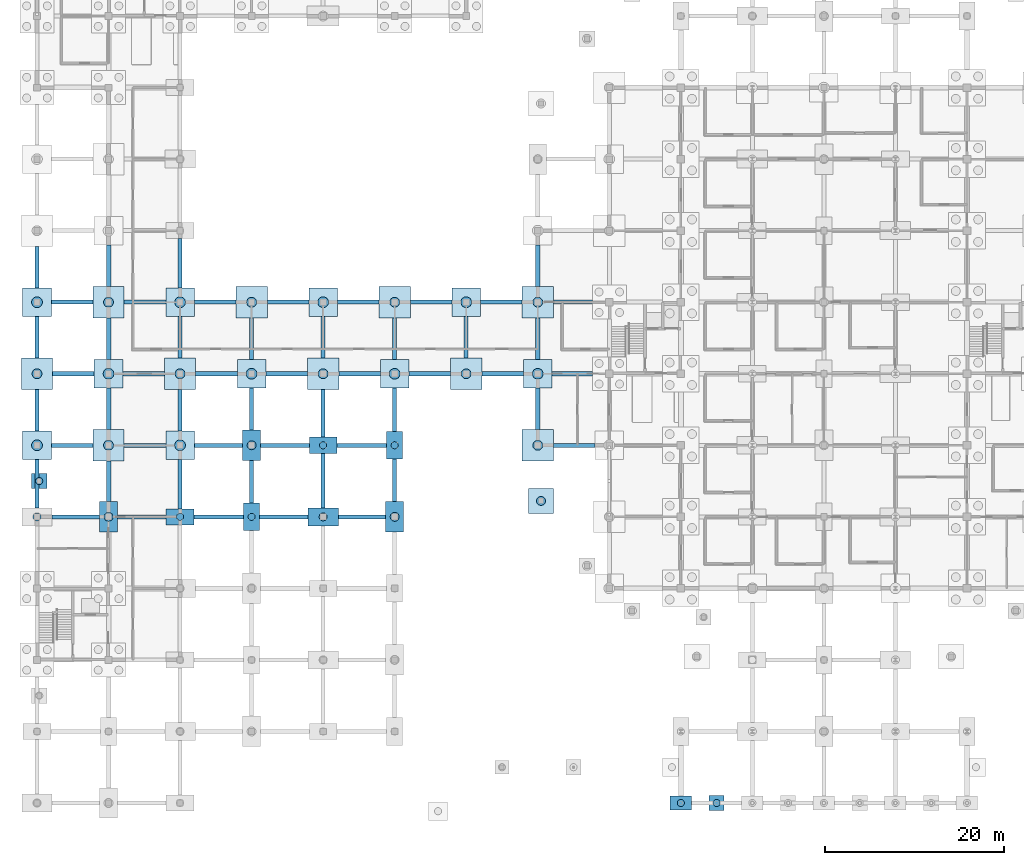
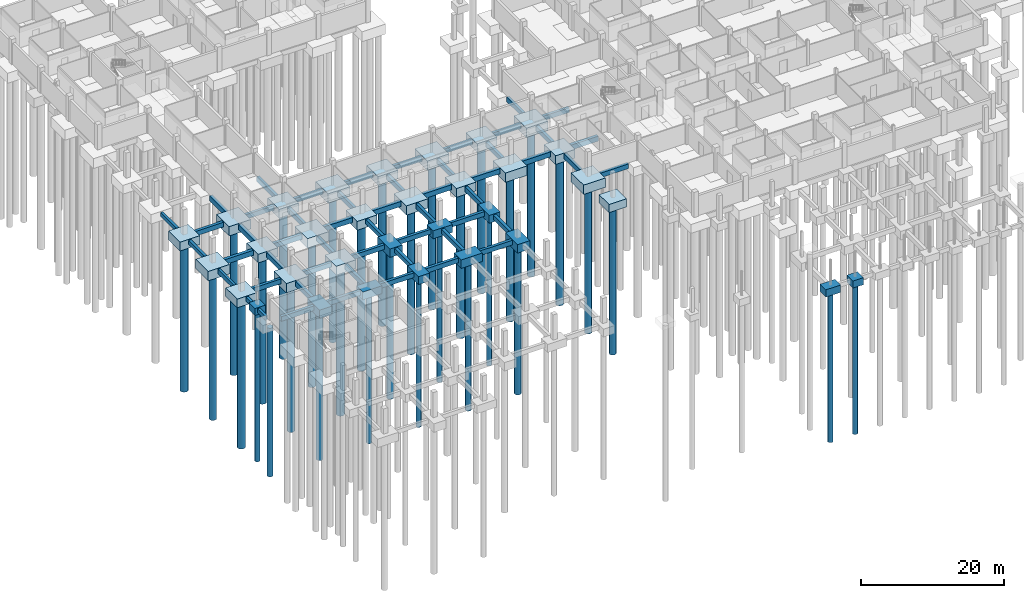
# One storey, part 2 of 48: 84 footings, 33 piles.
"""IFC4 building model written with IfcOpenShell, lengths in metres."""

from ifc_helpers import new_model, si_unit, derived_unit, direction, frame, origin, origin_2d, place, context, subcontext, project, spatial, rectangle, circle, extrude, material, material_profile, profile_set, type_object, element, save


model = new_model("IFC4")

# Units and contexts
model_context = context("Model", 3, precision=1e-05, world=origin(), true_north=direction((0.0, 1.0)))
body_context = subcontext(model_context, "Body", "Model", "MODEL_VIEW")
ifc_project = project(units=[si_unit("LENGTHUNIT", "METRE"), si_unit("AREAUNIT", "SQUARE_METRE"), si_unit("VOLUMEUNIT", "CUBIC_METRE"), si_unit("PLANEANGLEUNIT", "RADIAN"), si_unit("MASSUNIT", "GRAM", prefix="KILO"), derived_unit("THERMALTRANSMITTANCEUNIT", [(si_unit("MASSUNIT", "GRAM", prefix="KILO"), 1), (si_unit("TIMEUNIT", "SECOND"), -3), (si_unit("THERMODYNAMICTEMPERATUREUNIT", "KELVIN"), -1)])], contexts=[model_context])

# Site, building, storey
site_placement = place(None, origin())
site = spatial("IfcSite", under=ifc_project, at=site_placement, CompositionType="ELEMENT")
building_placement = place(site_placement, origin())
building = spatial("IfcBuilding", under=site, at=building_placement, Name="Veyamyaing Civic Hall", CompositionType="ELEMENT")
storey_placement = place(building_placement, frame((0.0, 0.0, -4.2900390625)))
storey = spatial("IfcBuildingStorey", under=building, at=storey_placement, Name="B1", CompositionType="ELEMENT", Elevation=-4.2900390625)

# Footings
ifc_material_1 = material(Name="Concrete C40/50", Category="concrete")
ifc_material_profile_1 = material_profile(ifc_material_1, rectangle(XDim=0.5, YDim=0.85009765625, at=origin_2d()), Name="GB-500X850")
ifc_profile_set_1 = profile_set([ifc_material_profile_1], Name="Concrete C40/50")
footing_type_1 = type_object("IfcFootingType", Name="GB-01", PredefinedType="FOOTING_BEAM", material=ifc_profile_set_1)
footing_1_placement = place(storey_placement, frame((1.75, 48.0, -0.574951171875), z_axis=(1.0, 0.0, 0.0), x_axis=(0.0, 1.0, 0.0)))
element("IfcFooting", 1, at=footing_1_placement, inside=storey, type_object=footing_type_1, Name="Footing tie beam GB-01 X 0-6", PredefinedType="FOOTING_BEAM", context=body_context, shape_type="SweptSolid", body=[
    extrude(rectangle(XDim=0.5, YDim=0.85009765625, at=origin_2d()), origin(), (0.0, 0.0, 1.0), 4.64990234375),
])
footing_2_placement = place(storey_placement, frame((8.0, 33.699951171875, -0.574951171875), z_axis=(0.0, 1.0, 0.0), x_axis=(-1.0, 0.0, 0.0)))
element("IfcFooting", 2, at=footing_2_placement, inside=storey, type_object=footing_type_1, Name="Footing tie beam GB-01 Y 1-4", PredefinedType="FOOTING_BEAM", context=body_context, shape_type="SweptSolid", body=[
    extrude(rectangle(XDim=0.5, YDim=0.85009765625, at=origin_2d()), origin(), (0.0, 0.0, 1.0), 4.550048828125),
])
for number, where, z_axis, x_axis, name in (
    (3, (8.0, 41.75, -0.574951171875), (0.0, 1.0, 0.0), (-1.0, 0.0, 0.0), "Footing tie beam GB-01 Y 1-5"),
    (4, (9.60009765625, 48.0, -0.574951171875), (1.0, 0.0, 0.0), (0.0, 1.0, 0.0), "Footing tie beam GB-01 X 1-6"),
    (5, (8.0, 49.60009765625, -0.574951171875), (0.0, 1.0, 0.0), (-1.0, 0.0, 0.0), "Footing tie beam GB-01 Y 1-6"),
    (6, (8.0, 57.75, -0.574951171875), (0.0, 1.0, 0.0), (-1.0, 0.0, 0.0), "Footing tie beam GB-01 Y 1-7"),
    (7, (17.75, 48.0, -0.574951171875), (1.0, 0.0, 0.0), (0.0, 1.0, 0.0), "Footing tie beam GB-01 X 2-6"),
    (8, (25.60009765625, 48.0, -0.574951171875), (1.0, 0.0, 0.0), (0.0, 1.0, 0.0), "Footing tie beam GB-01 X 3-6"),
    (9, (33.75, 48.0, -0.574951171875), (1.0, 0.0, 0.0), (0.0, 1.0, 0.0), "Footing tie beam GB-01 X 4-6"),
    (10, (41.60009765625, 48.0, -0.574951171875), (1.0, 0.0, 0.0), (0.0, 1.0, 0.0), "Footing tie beam GB-01 X 5-6"),
    (11, (49.75, 48.0, -0.574951171875), (1.0, 0.0, 0.0), (0.0, 1.0, 0.0), "Footing tie beam GB-01 X 6-6"),
):
    element("IfcFooting", number, at=place(storey_placement, frame(where, z_axis=z_axis, x_axis=x_axis)), inside=storey, type_object=footing_type_1, Name=name, PredefinedType="FOOTING_BEAM", context=body_context, shape_type="SweptSolid", body=[
        extrude(rectangle(XDim=0.5, YDim=0.85009765625, at=origin_2d()), origin(), (0.0, 0.0, 1.0), 4.64990234375),
    ])
footing_3_placement = place(storey_placement, frame((57.60009765625, 48.0, -0.574951171875), z_axis=(1.0, 0.0, 0.0), x_axis=(0.0, 1.0, 0.0)))
element("IfcFooting", 12, at=footing_3_placement, inside=storey, type_object=footing_type_1, Name="Footing tie beam GB-01 X 7-6", PredefinedType="FOOTING_BEAM", context=body_context, shape_type="SweptSolid", body=[
    extrude(rectangle(XDim=0.5, YDim=0.85009765625, at=origin_2d()), origin(), (0.0, 0.0, 1.0), 4.5),
])
ifc_material_profile_2 = material_profile(ifc_material_1, rectangle(XDim=0.449951171875, YDim=0.800048828125, at=origin_2d()), Name="GB-450X800")
ifc_profile_set_2 = profile_set([ifc_material_profile_2], Name="Concrete C40/50")
footing_type_2 = type_object("IfcFootingType", Name="GB-02", PredefinedType="FOOTING_BEAM", material=ifc_profile_set_2)
footing_4_placement = place(storey_placement, frame((1.699951171875, 32.0, -0.550048828125), z_axis=(1.0, 0.0, 0.0), x_axis=(0.0, 1.0, 0.0)))
element("IfcFooting", 13, at=footing_4_placement, inside=storey, type_object=footing_type_2, Name="Footing tie beam GB-02 X 0-4", PredefinedType="FOOTING_BEAM", context=body_context, shape_type="SweptSolid", body=[
    extrude(rectangle(XDim=0.449951171875, YDim=0.800048828125, at=origin_2d()), origin(), (0.0, 0.0, 1.0), 5.300048828125),
])
for number, where, z_axis, x_axis, name in (
    (14, (1.60009765625, 40.0, -0.550048828125), (1.0, 0.0, 0.0), (0.0, 1.0, 0.0), "Footing tie beam GB-02 X 0-5"),
    (15, (1.60009765625, 56.0, -0.550048828125), (1.0, 0.0, 0.0), (0.0, 1.0, 0.0), "Footing tie beam GB-02 X 0-7"),
):
    element("IfcFooting", number, at=place(storey_placement, frame(where, z_axis=z_axis, x_axis=x_axis)), inside=storey, type_object=footing_type_2, Name=name, PredefinedType="FOOTING_BEAM", context=body_context, shape_type="SweptSolid", body=[
        extrude(rectangle(XDim=0.449951171875, YDim=0.800048828125, at=origin_2d()), origin(), (0.0, 0.0, 1.0), 4.64990234375),
    ])
footing_5_placement = place(storey_placement, frame((9.0, 32.0, -0.550048828125), z_axis=(1.0, 0.0, 0.0), x_axis=(0.0, 1.0, 0.0)))
element("IfcFooting", 16, at=footing_5_placement, inside=storey, type_object=footing_type_2, Name="Footing tie beam GB-02 X 1-4", PredefinedType="FOOTING_BEAM", context=body_context, shape_type="SweptSolid", body=[
    extrude(rectangle(XDim=0.449951171875, YDim=0.800048828125, at=origin_2d()), origin(), (0.0, 0.0, 1.0), 5.449951171875),
])
for number, where, z_axis, x_axis, name in (
    (17, (9.75, 40.0, -0.550048828125), (1.0, 0.0, 0.0), (0.0, 1.0, 0.0), "Footing tie beam GB-02 X 1-5"),
    (18, (9.75, 56.0, -0.550048828125), (1.0, 0.0, 0.0), (0.0, 1.0, 0.0), "Footing tie beam GB-02 X 1-7"),
):
    element("IfcFooting", number, at=place(storey_placement, frame(where, z_axis=z_axis, x_axis=x_axis)), inside=storey, type_object=footing_type_2, Name=name, PredefinedType="FOOTING_BEAM", context=body_context, shape_type="SweptSolid", body=[
        extrude(rectangle(XDim=0.449951171875, YDim=0.800048828125, at=origin_2d()), origin(), (0.0, 0.0, 1.0), 4.64990234375),
    ])
footing_6_placement = place(storey_placement, frame((17.550048828125, 32.0, -0.550048828125), z_axis=(1.0, 0.0, 0.0), x_axis=(0.0, 1.0, 0.0)))
element("IfcFooting", 19, at=footing_6_placement, inside=storey, type_object=footing_type_2, Name="Footing tie beam GB-02 X 2-4", PredefinedType="FOOTING_BEAM", context=body_context, shape_type="SweptSolid", body=[
    extrude(rectangle(XDim=0.449951171875, YDim=0.800048828125, at=origin_2d()), origin(), (0.0, 0.0, 1.0), 5.550048828125),
])
footing_7_placement = place(storey_placement, frame((16.0, 32.89990234375, -0.550048828125), z_axis=(0.0, 1.0, 0.0), x_axis=(-1.0, 0.0, 0.0)))
element("IfcFooting", 20, at=footing_7_placement, inside=storey, type_object=footing_type_2, Name="Footing tie beam GB-02 Y 2-4", PredefinedType="FOOTING_BEAM", context=body_context, shape_type="SweptSolid", body=[
    extrude(rectangle(XDim=0.449951171875, YDim=0.800048828125, at=origin_2d()), origin(), (0.0, 0.0, 1.0), 5.5),
])
footing_8_placement = place(storey_placement, frame((17.60009765625, 40.0, -0.550048828125), z_axis=(1.0, 0.0, 0.0), x_axis=(0.0, 1.0, 0.0)))
element("IfcFooting", 21, at=footing_8_placement, inside=storey, type_object=footing_type_2, Name="Footing tie beam GB-02 X 2-5", PredefinedType="FOOTING_BEAM", context=body_context, shape_type="SweptSolid", body=[
    extrude(rectangle(XDim=0.449951171875, YDim=0.800048828125, at=origin_2d()), origin(), (0.0, 0.0, 1.0), 5.39990234375),
])
for number, where, z_axis, x_axis, name in (
    (22, (16.0, 41.60009765625, -0.550048828125), (0.0, 1.0, 0.0), (-1.0, 0.0, 0.0), "Footing tie beam GB-02 Y 2-5"),
    (23, (16.0, 49.75, -0.550048828125), (0.0, 1.0, 0.0), (-1.0, 0.0, 0.0), "Footing tie beam GB-02 Y 2-6"),
    (24, (17.60009765625, 56.0, -0.550048828125), (1.0, 0.0, 0.0), (0.0, 1.0, 0.0), "Footing tie beam GB-02 X 2-7"),
):
    element("IfcFooting", number, at=place(storey_placement, frame(where, z_axis=z_axis, x_axis=x_axis)), inside=storey, type_object=footing_type_2, Name=name, PredefinedType="FOOTING_BEAM", context=body_context, shape_type="SweptSolid", body=[
        extrude(rectangle(XDim=0.449951171875, YDim=0.800048828125, at=origin_2d()), origin(), (0.0, 0.0, 1.0), 4.64990234375),
    ])
footing_9_placement = place(storey_placement, frame((16.0, 57.60009765625, -0.550048828125), z_axis=(0.0, 1.0, 0.0), x_axis=(-1.0, 0.0, 0.0)))
element("IfcFooting", 25, at=footing_9_placement, inside=storey, type_object=footing_type_2, Name="Footing tie beam GB-02 Y 2-7", PredefinedType="FOOTING_BEAM", context=body_context, shape_type="SweptSolid", body=[
    extrude(rectangle(XDim=0.449951171875, YDim=0.800048828125, at=origin_2d()), origin(), (0.0, 0.0, 1.0), 5.5),
])
footing_10_placement = place(storey_placement, frame((24.89990234375, 32.0, -0.550048828125), z_axis=(1.0, 0.0, 0.0), x_axis=(0.0, 1.0, 0.0)))
element("IfcFooting", 26, at=footing_10_placement, inside=storey, type_object=footing_type_2, Name="Footing tie beam GB-02 X 3-4", PredefinedType="FOOTING_BEAM", context=body_context, shape_type="SweptSolid", body=[
    extrude(rectangle(XDim=0.449951171875, YDim=0.800048828125, at=origin_2d()), origin(), (0.0, 0.0, 1.0), 5.400146484375),
])
footing_11_placement = place(storey_placement, frame((24.0, 33.550048828125, -0.550048828125), z_axis=(0.0, 1.0, 0.0), x_axis=(-1.0, 0.0, 0.0)))
element("IfcFooting", 27, at=footing_11_placement, inside=storey, type_object=footing_type_2, Name="Footing tie beam GB-02 Y 3-4", PredefinedType="FOOTING_BEAM", context=body_context, shape_type="SweptSolid", body=[
    extrude(rectangle(XDim=0.449951171875, YDim=0.800048828125, at=origin_2d()), origin(), (0.0, 0.0, 1.0), 4.75),
])
footing_12_placement = place(storey_placement, frame((25.0, 40.0, -0.550048828125), z_axis=(1.0, 0.0, 0.0), x_axis=(0.0, 1.0, 0.0)))
element("IfcFooting", 28, at=footing_12_placement, inside=storey, type_object=footing_type_2, Name="Footing tie beam GB-02 X 3-5", PredefinedType="FOOTING_BEAM", context=body_context, shape_type="SweptSolid", body=[
    extrude(rectangle(XDim=0.449951171875, YDim=0.800048828125, at=origin_2d()), origin(), (0.0, 0.0, 1.0), 5.449951171875),
])
footing_13_placement = place(storey_placement, frame((24.0, 41.699951171875, -0.550048828125), z_axis=(0.0, 1.0, 0.0), x_axis=(-1.0, 0.0, 0.0)))
element("IfcFooting", 29, at=footing_13_placement, inside=storey, type_object=footing_type_2, Name="Footing tie beam GB-02 Y 3-5", PredefinedType="FOOTING_BEAM", context=body_context, shape_type="SweptSolid", body=[
    extrude(rectangle(XDim=0.449951171875, YDim=0.800048828125, at=origin_2d()), origin(), (0.0, 0.0, 1.0), 4.699951171875),
])
for number, where, z_axis, x_axis, name in (
    (30, (24.0, 49.60009765625, -0.550048828125), (0.0, 1.0, 0.0), (-1.0, 0.0, 0.0), "Footing tie beam GB-02 Y 3-6"),
    (31, (25.75, 56.0, -0.550048828125), (1.0, 0.0, 0.0), (0.0, 1.0, 0.0), "Footing tie beam GB-02 X 3-7"),
):
    element("IfcFooting", number, at=place(storey_placement, frame(where, z_axis=z_axis, x_axis=x_axis)), inside=storey, type_object=footing_type_2, Name=name, PredefinedType="FOOTING_BEAM", context=body_context, shape_type="SweptSolid", body=[
        extrude(rectangle(XDim=0.449951171875, YDim=0.800048828125, at=origin_2d()), origin(), (0.0, 0.0, 1.0), 4.64990234375),
    ])
footing_14_placement = place(storey_placement, frame((33.699951171875, 32.0, -0.550048828125), z_axis=(1.0, 0.0, 0.0), x_axis=(0.0, 1.0, 0.0)))
element("IfcFooting", 32, at=footing_14_placement, inside=storey, type_object=footing_type_2, Name="Footing tie beam GB-02 X 4-4", PredefinedType="FOOTING_BEAM", context=body_context, shape_type="SweptSolid", body=[
    extrude(rectangle(XDim=0.449951171875, YDim=0.800048828125, at=origin_2d()), origin(), (0.0, 0.0, 1.0), 5.300048828125),
])
footing_15_placement = place(storey_placement, frame((32.0, 33.0, -0.550048828125), z_axis=(0.0, 1.0, 0.0), x_axis=(-1.0, 0.0, 0.0)))
element("IfcFooting", 33, at=footing_15_placement, inside=storey, type_object=footing_type_2, Name="Footing tie beam GB-02 Y 4-4", PredefinedType="FOOTING_BEAM", context=body_context, shape_type="SweptSolid", body=[
    extrude(rectangle(XDim=0.449951171875, YDim=0.800048828125, at=origin_2d()), origin(), (0.0, 0.0, 1.0), 6.10009765625),
])
footing_16_placement = place(storey_placement, frame((33.550048828125, 40.0, -0.550048828125), z_axis=(1.0, 0.0, 0.0), x_axis=(0.0, 1.0, 0.0)))
element("IfcFooting", 34, at=footing_16_placement, inside=storey, type_object=footing_type_2, Name="Footing tie beam GB-02 X 4-5", PredefinedType="FOOTING_BEAM", context=body_context, shape_type="SweptSolid", body=[
    extrude(rectangle(XDim=0.449951171875, YDim=0.800048828125, at=origin_2d()), origin(), (0.0, 0.0, 1.0), 5.550048828125),
])
footing_17_placement = place(storey_placement, frame((32.0, 40.89990234375, -0.550048828125), z_axis=(0.0, 1.0, 0.0), x_axis=(-1.0, 0.0, 0.0)))
element("IfcFooting", 35, at=footing_17_placement, inside=storey, type_object=footing_type_2, Name="Footing tie beam GB-02 Y 4-5", PredefinedType="FOOTING_BEAM", context=body_context, shape_type="SweptSolid", body=[
    extrude(rectangle(XDim=0.449951171875, YDim=0.800048828125, at=origin_2d()), origin(), (0.0, 0.0, 1.0), 5.35009765625),
])
for number, where, z_axis, x_axis, name in (
    (36, (32.0, 49.75, -0.550048828125), (0.0, 1.0, 0.0), (-1.0, 0.0, 0.0), "Footing tie beam GB-02 Y 4-6"),
    (37, (33.60009765625, 56.0, -0.550048828125), (1.0, 0.0, 0.0), (0.0, 1.0, 0.0), "Footing tie beam GB-02 X 4-7"),
):
    element("IfcFooting", number, at=place(storey_placement, frame(where, z_axis=z_axis, x_axis=x_axis)), inside=storey, type_object=footing_type_2, Name=name, PredefinedType="FOOTING_BEAM", context=body_context, shape_type="SweptSolid", body=[
        extrude(rectangle(XDim=0.449951171875, YDim=0.800048828125, at=origin_2d()), origin(), (0.0, 0.0, 1.0), 4.64990234375),
    ])
footing_18_placement = place(storey_placement, frame((40.0, 33.699951171875, -0.550048828125), z_axis=(0.0, 1.0, 0.0), x_axis=(-1.0, 0.0, 0.0)))
element("IfcFooting", 38, at=footing_18_placement, inside=storey, type_object=footing_type_2, Name="Footing tie beam GB-02 Y 5-4", PredefinedType="FOOTING_BEAM", context=body_context, shape_type="SweptSolid", body=[
    extrude(rectangle(XDim=0.449951171875, YDim=0.800048828125, at=origin_2d()), origin(), (0.0, 0.0, 1.0), 4.75),
])
footing_19_placement = place(storey_placement, frame((40.0, 41.550048828125, -0.550048828125), z_axis=(0.0, 1.0, 0.0), x_axis=(-1.0, 0.0, 0.0)))
element("IfcFooting", 39, at=footing_19_placement, inside=storey, type_object=footing_type_2, Name="Footing tie beam GB-02 Y 5-5", PredefinedType="FOOTING_BEAM", context=body_context, shape_type="SweptSolid", body=[
    extrude(rectangle(XDim=0.449951171875, YDim=0.800048828125, at=origin_2d()), origin(), (0.0, 0.0, 1.0), 4.849853515625),
])
for number, where, z_axis, x_axis, name in (
    (40, (40.0, 49.60009765625, -0.550048828125), (0.0, 1.0, 0.0), (-1.0, 0.0, 0.0), "Footing tie beam GB-02 Y 5-6"),
    (41, (41.75, 56.0, -0.550048828125), (1.0, 0.0, 0.0), (0.0, 1.0, 0.0), "Footing tie beam GB-02 X 5-7"),
    (42, (48.0, 49.75, -0.550048828125), (0.0, 1.0, 0.0), (-1.0, 0.0, 0.0), "Footing tie beam GB-02 Y 6-6"),
    (43, (49.60009765625, 56.0, -0.550048828125), (1.0, 0.0, 0.0), (0.0, 1.0, 0.0), "Footing tie beam GB-02 X 6-7"),
    (44, (57.75, 40.0, -0.550048828125), (1.0, 0.0, 0.0), (0.0, 1.0, 0.0), "Footing tie beam GB-02 X 7-5"),
    (45, (56.0, 41.75, -0.550048828125), (0.0, 1.0, 0.0), (-1.0, 0.0, 0.0), "Footing tie beam GB-02 Y 7-5"),
    (46, (56.0, 49.60009765625, -0.550048828125), (0.0, 1.0, 0.0), (-1.0, 0.0, 0.0), "Footing tie beam GB-02 Y 7-6"),
):
    element("IfcFooting", number, at=place(storey_placement, frame(where, z_axis=z_axis, x_axis=x_axis)), inside=storey, type_object=footing_type_2, Name=name, PredefinedType="FOOTING_BEAM", context=body_context, shape_type="SweptSolid", body=[
        extrude(rectangle(XDim=0.449951171875, YDim=0.800048828125, at=origin_2d()), origin(), (0.0, 0.0, 1.0), 4.64990234375),
    ])
footing_20_placement = place(storey_placement, frame((57.75, 56.0, -0.550048828125), z_axis=(1.0, 0.0, 0.0), x_axis=(0.0, 1.0, 0.0)))
element("IfcFooting", 47, at=footing_20_placement, inside=storey, type_object=footing_type_2, Name="Footing tie beam GB-02 X 7-7", PredefinedType="FOOTING_BEAM", context=body_context, shape_type="SweptSolid", body=[
    extrude(rectangle(XDim=0.449951171875, YDim=0.800048828125, at=origin_2d()), origin(), (0.0, 0.0, 1.0), 4.35009765625),
])
footing_21_placement = place(storey_placement, frame((56.0, 57.75, -0.550048828125), z_axis=(0.0, 1.0, 0.0), x_axis=(-1.0, 0.0, 0.0)))
element("IfcFooting", 48, at=footing_21_placement, inside=storey, type_object=footing_type_2, Name="Footing tie beam GB-02 Y 7-7", PredefinedType="FOOTING_BEAM", context=body_context, shape_type="SweptSolid", body=[
    extrude(rectangle(XDim=0.449951171875, YDim=0.800048828125, at=origin_2d()), origin(), (0.0, 0.0, 1.0), 4.64990234375),
])
ifc_material_profile_3 = material_profile(ifc_material_1, rectangle(XDim=0.39990234375, YDim=0.699951171875, at=origin_2d()), Name="GB-400X700")
ifc_profile_set_3 = profile_set([ifc_material_profile_3], Name="Concrete C40/50")
footing_type_3 = type_object("IfcFootingType", Name="GB-03", PredefinedType="FOOTING_BEAM", material=ifc_profile_set_3)
footing_22_placement = place(storey_placement, frame((0.0, 33.0, -0.5), z_axis=(0.0, 1.0, 0.0), x_axis=(-1.0, 0.0, 0.0)))
element("IfcFooting", 49, at=footing_22_placement, inside=storey, type_object=footing_type_3, Name="Footing tie beam GB-03 Y 0-4", PredefinedType="FOOTING_BEAM", context=body_context, shape_type="SweptSolid", body=[
    extrude(rectangle(XDim=0.39990234375, YDim=0.699951171875, at=origin_2d()), origin(), (0.0, 0.0, 1.0), 5.39990234375),
])
for number, where, z_axis, x_axis, name in (
    (50, (0.0, 41.60009765625, -0.5), (0.0, 1.0, 0.0), (-1.0, 0.0, 0.0), "Footing tie beam GB-03 Y 0-5"),
    (51, (0.0, 49.75, -0.5), (0.0, 1.0, 0.0), (-1.0, 0.0, 0.0), "Footing tie beam GB-03 Y 0-6"),
    (52, (0.0, 57.60009765625, -0.5), (0.0, 1.0, 0.0), (-1.0, 0.0, 0.0), "Footing tie beam GB-03 Y 0-7"),
):
    element("IfcFooting", number, at=place(storey_placement, frame(where, z_axis=z_axis, x_axis=x_axis)), inside=storey, type_object=footing_type_3, Name=name, PredefinedType="FOOTING_BEAM", context=body_context, shape_type="SweptSolid", body=[
        extrude(rectangle(XDim=0.39990234375, YDim=0.699951171875, at=origin_2d()), origin(), (0.0, 0.0, 1.0), 4.64990234375),
    ])

# Piles
ifc_material_2 = material(Name="Concrete C35/45", Category="concrete")
ifc_material_profile_4 = material_profile(ifc_material_2, circle(Radius=0.60009765625, at=origin_2d()), Name="PILE-D1200")
ifc_profile_set_4 = profile_set([ifc_material_profile_4], Name="Concrete C35/45")
pile_type_1 = type_object("IfcPileType", Name="P-01", PredefinedType="BORED", material=ifc_profile_set_4)
for number, where, z_axis, x_axis, name in (
    (53, (0.0, 40.0, -1.39990234375), (0.0, 0.0, -1.0), (1.0, 0.0, 0.0), "Bored pile P-01 G00-05.1"),
    (54, (0.0, 56.0, -1.39990234375), (0.0, 0.0, -1.0), (1.0, 0.0, 0.0), "Bored pile P-01 G00-07.1"),
    (55, (8.0, 48.0, -1.39990234375), (0.0, 0.0, -1.0), (1.0, 0.0, 0.0), "Bored pile P-01 G01-06.1"),
    (56, (16.0, 40.0, -1.39990234375), (0.0, 0.0, -1.0), (1.0, 0.0, 0.0), "Bored pile P-01 G02-05.1"),
    (57, (16.0, 56.0, -1.39990234375), (0.0, 0.0, -1.0), (1.0, 0.0, 0.0), "Bored pile P-01 G02-07.1"),
    (58, (24.0, 48.0, -1.39990234375), (0.0, 0.0, -1.0), (1.0, 0.0, 0.0), "Bored pile P-01 G03-06.1"),
    (59, (32.0, 56.0, -1.39990234375), (0.0, 0.0, -1.0), (1.0, 0.0, 0.0), "Bored pile P-01 G04-07.1"),
    (60, (40.0, 48.0, -1.39990234375), (0.0, 0.0, -1.0), (1.0, 0.0, 0.0), "Bored pile P-01 G05-06.1"),
    (61, (48.0, 56.0, -1.39990234375), (0.0, 0.0, -1.0), (1.0, 0.0, 0.0), "Bored pile P-01 G06-07.1"),
    (62, (56.0, 48.0, -1.39990234375), (0.0, 0.0, -1.0), (1.0, 0.0, 0.0), "Bored pile P-01 G07-06.1"),
):
    element("IfcPile", number, at=place(storey_placement, frame(where, z_axis=z_axis, x_axis=x_axis)), inside=storey, type_object=pile_type_1, Name=name, PredefinedType="BORED", context=body_context, shape_type="SweptSolid", body=[
        extrude(circle(Radius=0.60009765625, at=origin_2d()), origin(), (0.0, 0.0, 1.0), 25.31005859375),
    ])
ifc_material_profile_5 = material_profile(ifc_material_2, circle(Radius=0.550048828125, at=origin_2d()), Name="PILE-D1100")
ifc_profile_set_5 = profile_set([ifc_material_profile_5], Name="Concrete C35/45")
pile_type_2 = type_object("IfcPileType", Name="P-02", PredefinedType="BORED", material=ifc_profile_set_5)
for number, where, z_axis, x_axis, name in (
    (63, (0.0, 48.0, -1.5), (0.0, 0.0, -1.0), (1.0, 0.0, 0.0), "Bored pile P-02 G00-06.1"),
    (64, (8.0, 40.0, -1.5), (0.0, 0.0, -1.0), (1.0, 0.0, 0.0), "Bored pile P-02 G01-05.1"),
    (65, (8.0, 56.0, -1.5), (0.0, 0.0, -1.0), (1.0, 0.0, 0.0), "Bored pile P-02 G01-07.1"),
    (66, (16.0, 48.0, -1.5), (0.0, 0.0, -1.0), (1.0, 0.0, 0.0), "Bored pile P-02 G02-06.1"),
    (67, (24.0, 56.0, -1.5), (0.0, 0.0, -1.0), (1.0, 0.0, 0.0), "Bored pile P-02 G03-07.1"),
    (68, (32.0, 48.0, -1.5), (0.0, 0.0, -1.0), (1.0, 0.0, 0.0), "Bored pile P-02 G04-06.1"),
    (69, (40.0, 56.0, -1.5), (0.0, 0.0, -1.0), (1.0, 0.0, 0.0), "Bored pile P-02 G05-07.1"),
    (70, (48.0, 48.0, -1.5), (0.0, 0.0, -1.0), (1.0, 0.0, 0.0), "Bored pile P-02 G06-06.1"),
    (71, (56.0, 40.0, -1.5), (0.0, 0.0, -1.0), (1.0, 0.0, 0.0), "Bored pile P-02 G07-05.1"),
    (72, (56.0, 56.0, -1.5), (0.0, 0.0, -1.0), (1.0, 0.0, 0.0), "Bored pile P-02 G07-07.1"),
):
    element("IfcPile", number, at=place(storey_placement, frame(where, z_axis=z_axis, x_axis=x_axis)), inside=storey, type_object=pile_type_2, Name=name, PredefinedType="BORED", context=body_context, shape_type="SweptSolid", body=[
        extrude(circle(Radius=0.550048828125, at=origin_2d()), origin(), (0.0, 0.0, 1.0), 25.2099609375),
    ])
ifc_material_profile_6 = material_profile(ifc_material_2, circle(Radius=0.5, at=origin_2d()), Name="PILE-D1000")
ifc_profile_set_6 = profile_set([ifc_material_profile_6], Name="Concrete C35/45")
pile_type_3 = type_object("IfcPileType", Name="P-03", PredefinedType="BORED", material=ifc_profile_set_6)
for number, where, z_axis, x_axis, name in (
    (73, (8.0, 32.0, -1.349853515625), (0.0, 0.0, -1.0), (1.0, 0.0, 0.0), "Bored pile P-03 G01-04.1"),
    (74, (24.0, 40.0, -1.349853515625), (0.0, 0.0, -1.0), (1.0, 0.0, 0.0), "Bored pile P-03 G03-05.1"),
    (75, (40.0, 32.0, -1.349853515625), (0.0, 0.0, -1.0), (1.0, 0.0, 0.0), "Bored pile P-03 G05-04.1"),
):
    element("IfcPile", number, at=place(storey_placement, frame(where, z_axis=z_axis, x_axis=x_axis)), inside=storey, type_object=pile_type_3, Name=name, PredefinedType="BORED", context=body_context, shape_type="SweptSolid", body=[
        extrude(circle(Radius=0.5, at=origin_2d()), origin(), (0.0, 0.0, 1.0), 25.360107421875),
    ])
pile_1_placement = place(storey_placement, frame((56.36376953125, 33.779296875, -1.300048828125), z_axis=(0.0, 0.0, -1.0), x_axis=(1.0, 0.0, 0.0)))
element("IfcPile", 76, at=pile_1_placement, inside=storey, type_object=pile_type_3, Name="Bored pile P-03 ARC-SW-00.1", PredefinedType="BORED", context=body_context, shape_type="SweptSolid", body=[
    extrude(circle(Radius=0.5, at=origin_2d()), origin(), (0.0, 0.0, 1.0), 25.409912109375),
])
ifc_material_profile_7 = material_profile(ifc_material_2, circle(Radius=0.449951171875, at=origin_2d()), Name="PILE-D900")
ifc_profile_set_7 = profile_set([ifc_material_profile_7], Name="Concrete C35/45")
pile_type_4 = type_object("IfcPileType", Name="P-04", PredefinedType="BORED", material=ifc_profile_set_7)
for number, where, z_axis, x_axis, name in (
    (77, (0.0, 32.0, -1.349853515625), (0.0, 0.0, -1.0), (1.0, 0.0, 0.0), "Bored pile P-04 G00-04.1"),
    (78, (32.0, 32.0, -1.349853515625), (0.0, 0.0, -1.0), (1.0, 0.0, 0.0), "Bored pile P-04 G04-04.1"),
):
    element("IfcPile", number, at=place(storey_placement, frame(where, z_axis=z_axis, x_axis=x_axis)), inside=storey, type_object=pile_type_4, Name=name, PredefinedType="BORED", context=body_context, shape_type="SweptSolid", body=[
        extrude(circle(Radius=0.449951171875, at=origin_2d()), origin(), (0.0, 0.0, 1.0), 25.360107421875),
    ])
ifc_material_profile_8 = material_profile(ifc_material_2, circle(Radius=0.39990234375, at=origin_2d()), Name="PILE-D800")
ifc_profile_set_8 = profile_set([ifc_material_profile_8], Name="Concrete C35/45")
pile_type_5 = type_object("IfcPileType", Name="P-05", PredefinedType="BORED", material=ifc_profile_set_8)
for number, where, z_axis, x_axis, name in (
    (79, (16.0, 32.0, -1.25), (0.0, 0.0, -1.0), (1.0, 0.0, 0.0), "Bored pile P-05 G02-04.1"),
    (80, (24.0, 32.0, -1.25), (0.0, 0.0, -1.0), (1.0, 0.0, 0.0), "Bored pile P-05 G03-04.1"),
    (81, (32.0, 40.0, -1.25), (0.0, 0.0, -1.0), (1.0, 0.0, 0.0), "Bored pile P-05 G04-05.1"),
    (82, (40.0, 40.0, -1.25), (0.0, 0.0, -1.0), (1.0, 0.0, 0.0), "Bored pile P-05 G05-05.1"),
):
    element("IfcPile", number, at=place(storey_placement, frame(where, z_axis=z_axis, x_axis=x_axis)), inside=storey, type_object=pile_type_5, Name=name, PredefinedType="BORED", context=body_context, shape_type="SweptSolid", body=[
        extrude(circle(Radius=0.39990234375, at=origin_2d()), origin(), (0.0, 0.0, 1.0), 25.4599609375),
    ])
pile_2_placement = place(storey_placement, frame((72.0, 0.0, -1.14990234375), z_axis=(0.0, 0.0, -1.0), x_axis=(1.0, 0.0, 0.0)))
element("IfcPile", 83, at=pile_2_placement, inside=storey, type_object=pile_type_5, Name="Bored pile P-05 G09-00.1", PredefinedType="BORED", context=body_context, shape_type="SweptSolid", body=[
    extrude(circle(Radius=0.39990234375, at=origin_2d()), origin(), (0.0, 0.0, 1.0), 25.56005859375),
])
for number, where, z_axis, x_axis, name in (
    (84, (76.0, 0.0, -1.099853515625), (0.0, 0.0, -1.0), (1.0, 0.0, 0.0), "Bored pile P-05 PCOL-MID-1.1"),
    (85, (0.25, 36.0, -1.099853515625), (0.0, 0.0, -1.0), (1.0, 0.0, 0.0), "Bored pile P-05 PIL-W-04.1"),
):
    element("IfcPile", number, at=place(storey_placement, frame(where, z_axis=z_axis, x_axis=x_axis)), inside=storey, type_object=pile_type_5, Name=name, PredefinedType="BORED", context=body_context, shape_type="SweptSolid", body=[
        extrude(circle(Radius=0.39990234375, at=origin_2d()), origin(), (0.0, 0.0, 1.0), 25.610107421875),
    ])

# Footings
footing_type_4 = type_object("IfcFootingType", Name="PC-02", PredefinedType="PILE_CAP", material=ifc_material_1)
for number, where, z_axis, x_axis, name in (
    (86, (0.0, 48.0, -1.60009765625), (0.0, 0.0, 1.0), (1.0, 0.0, 0.0), "Pile cap PC-02 G00-06"),
    (87, (8.0, 40.0, -1.60009765625), (0.0, 0.0, 1.0), (1.0, 0.0, 0.0), "Pile cap PC-02 G01-05"),
    (88, (8.0, 56.0, -1.60009765625), (0.0, 0.0, 1.0), (1.0, 0.0, 0.0), "Pile cap PC-02 G01-07"),
    (89, (16.0, 48.0, -1.60009765625), (0.0, 0.0, 1.0), (1.0, 0.0, 0.0), "Pile cap PC-02 G02-06"),
    (90, (24.0, 56.0, -1.60009765625), (0.0, 0.0, 1.0), (1.0, 0.0, 0.0), "Pile cap PC-02 G03-07"),
    (91, (32.0, 48.0, -1.60009765625), (0.0, 0.0, 1.0), (1.0, 0.0, 0.0), "Pile cap PC-02 G04-06"),
    (92, (40.0, 56.0, -1.60009765625), (0.0, 0.0, 1.0), (1.0, 0.0, 0.0), "Pile cap PC-02 G05-07"),
    (93, (48.0, 48.0, -1.60009765625), (0.0, 0.0, 1.0), (1.0, 0.0, 0.0), "Pile cap PC-02 G06-06"),
    (94, (56.0, 40.0, -1.60009765625), (0.0, 0.0, 1.0), (1.0, 0.0, 0.0), "Pile cap PC-02 G07-05"),
    (95, (56.0, 56.0, -1.60009765625), (0.0, 0.0, 1.0), (1.0, 0.0, 0.0), "Pile cap PC-02 G07-07"),
):
    element("IfcFooting", number, at=place(storey_placement, frame(where, z_axis=z_axis, x_axis=x_axis)), inside=storey, type_object=footing_type_4, Name=name, PredefinedType="PILE_CAP", context=body_context, shape_type="SweptSolid", body=[
        extrude(rectangle(XDim=3.5, YDim=3.5, at=origin_2d()), origin(), (0.0, 0.0, 1.0), 1.60009765625),
    ])
footing_type_5 = type_object("IfcFootingType", Name="PC-03", PredefinedType="PILE_CAP", material=ifc_material_1)
for number, where, z_axis, x_axis, name in (
    (96, (0.0, 40.0, -1.5), (0.0, 0.0, 1.0), (1.0, 0.0, 0.0), "Pile cap PC-03 G00-05"),
    (97, (0.0, 56.0, -1.5), (0.0, 0.0, 1.0), (1.0, 0.0, 0.0), "Pile cap PC-03 G00-07"),
    (98, (8.0, 48.0, -1.5), (0.0, 0.0, 1.0), (1.0, 0.0, 0.0), "Pile cap PC-03 G01-06"),
    (99, (16.0, 40.0, -1.5), (0.0, 0.0, 1.0), (1.0, 0.0, 0.0), "Pile cap PC-03 G02-05"),
    (100, (16.0, 56.0, -1.5), (0.0, 0.0, 1.0), (1.0, 0.0, 0.0), "Pile cap PC-03 G02-07"),
    (101, (24.0, 48.0, -1.5), (0.0, 0.0, 1.0), (1.0, 0.0, 0.0), "Pile cap PC-03 G03-06"),
    (102, (32.0, 56.0, -1.5), (0.0, 0.0, 1.0), (1.0, 0.0, 0.0), "Pile cap PC-03 G04-07"),
    (103, (40.0, 48.0, -1.5), (0.0, 0.0, 1.0), (1.0, 0.0, 0.0), "Pile cap PC-03 G05-06"),
    (104, (48.0, 56.0, -1.5), (0.0, 0.0, 1.0), (1.0, 0.0, 0.0), "Pile cap PC-03 G06-07"),
    (105, (56.0, 48.0, -1.5), (0.0, 0.0, 1.0), (1.0, 0.0, 0.0), "Pile cap PC-03 G07-06"),
):
    element("IfcFooting", number, at=place(storey_placement, frame(where, z_axis=z_axis, x_axis=x_axis)), inside=storey, type_object=footing_type_5, Name=name, PredefinedType="PILE_CAP", context=body_context, shape_type="SweptSolid", body=[
        extrude(rectangle(XDim=3.199951171875, YDim=3.199951171875, at=origin_2d()), origin(), (0.0, 0.0, 1.0), 1.5),
    ])
footing_type_6 = type_object("IfcFootingType", Name="PC-04", PredefinedType="PILE_CAP", material=ifc_material_1)
footing_23_placement = place(storey_placement, frame((32.0, 32.0, -1.44970703125), z_axis=(0.0, 0.0, 1.0), x_axis=(1.0, 0.0, 0.0)))
element("IfcFooting", 106, at=footing_23_placement, inside=storey, type_object=footing_type_6, Name="Pile cap PC-04 G04-04", PredefinedType="PILE_CAP", context=body_context, shape_type="SweptSolid", body=[
    extrude(rectangle(XDim=3.39990234375, YDim=2.0, at=origin_2d()), origin(), (0.0, 0.0, 1.0), 1.449951171875),
])
footing_type_7 = type_object("IfcFootingType", Name="PC-05", PredefinedType="PILE_CAP", material=ifc_material_1)
for number, where, z_axis, x_axis, name in (
    (107, (8.0, 32.0, -1.44970703125), (0.0, 0.0, 1.0), (1.0, 0.0, 0.0), "Pile cap PC-05 G01-04"),
    (108, (24.0, 40.0, -1.44970703125), (0.0, 0.0, 1.0), (1.0, 0.0, 0.0), "Pile cap PC-05 G03-05"),
    (109, (40.0, 32.0, -1.44970703125), (0.0, 0.0, 1.0), (1.0, 0.0, 0.0), "Pile cap PC-05 G05-04"),
):
    element("IfcFooting", number, at=place(storey_placement, frame(where, z_axis=z_axis, x_axis=x_axis)), inside=storey, type_object=footing_type_7, Name=name, PredefinedType="PILE_CAP", context=body_context, shape_type="SweptSolid", body=[
        extrude(rectangle(XDim=2.0, YDim=3.39990234375, at=origin_2d()), origin(), (0.0, 0.0, 1.0), 1.449951171875),
    ])
footing_type_8 = type_object("IfcFootingType", Name="PC-06", PredefinedType="PILE_CAP", material=ifc_material_1)
for number, where, z_axis, x_axis, name in (
    (110, (16.0, 32.0, -1.35009765625), (0.0, 0.0, 1.0), (1.0, 0.0, 0.0), "Pile cap PC-06 G02-04"),
    (111, (32.0, 40.0, -1.35009765625), (0.0, 0.0, 1.0), (1.0, 0.0, 0.0), "Pile cap PC-06 G04-05"),
):
    element("IfcFooting", number, at=place(storey_placement, frame(where, z_axis=z_axis, x_axis=x_axis)), inside=storey, type_object=footing_type_8, Name=name, PredefinedType="PILE_CAP", context=body_context, shape_type="SweptSolid", body=[
        extrude(rectangle(XDim=3.10009765625, YDim=1.800048828125, at=origin_2d()), origin(), (0.0, 0.0, 1.0), 1.35009765625),
    ])
footing_type_9 = type_object("IfcFootingType", Name="PC-07", PredefinedType="PILE_CAP", material=ifc_material_1)
for number, where, z_axis, x_axis, name in (
    (112, (24.0, 32.0, -1.35009765625), (0.0, 0.0, 1.0), (1.0, 0.0, 0.0), "Pile cap PC-07 G03-04"),
    (113, (40.0, 40.0, -1.35009765625), (0.0, 0.0, 1.0), (1.0, 0.0, 0.0), "Pile cap PC-07 G05-05"),
):
    element("IfcFooting", number, at=place(storey_placement, frame(where, z_axis=z_axis, x_axis=x_axis)), inside=storey, type_object=footing_type_9, Name=name, PredefinedType="PILE_CAP", context=body_context, shape_type="SweptSolid", body=[
        extrude(rectangle(XDim=1.800048828125, YDim=3.10009765625, at=origin_2d()), origin(), (0.0, 0.0, 1.0), 1.35009765625),
    ])
footing_type_10 = type_object("IfcFootingType", Name="PC-08", PredefinedType="PILE_CAP", material=ifc_material_1)
footing_24_placement = place(storey_placement, frame((56.36376953125, 33.779296875, -1.39990234375), z_axis=(0.0, 0.0, 1.0), x_axis=(1.0, 0.0, 0.0)))
element("IfcFooting", 114, at=footing_24_placement, inside=storey, type_object=footing_type_10, Name="Pile cap PC-08 ARC-SW-00", PredefinedType="PILE_CAP", context=body_context, shape_type="SweptSolid", body=[
    extrude(rectangle(XDim=2.800048828125, YDim=2.800048828125, at=origin_2d()), origin(), (0.0, 0.0, 1.0), 1.39990234375),
])
footing_type_11 = type_object("IfcFootingType", Name="PC-09", PredefinedType="PILE_CAP", material=ifc_material_1)
footing_25_placement = place(storey_placement, frame((72.0, 0.0, -1.25), z_axis=(0.0, 0.0, 1.0), x_axis=(1.0, 0.0, 0.0)))
element("IfcFooting", 115, at=footing_25_placement, inside=storey, type_object=footing_type_11, Name="Pile cap PC-09 G09-00", PredefinedType="PILE_CAP", context=body_context, shape_type="SweptSolid", body=[
    extrude(rectangle(XDim=2.39990234375, YDim=1.60009765625, at=origin_2d()), origin(), (0.0, 0.0, 1.0), 1.25),
])
footing_type_12 = type_object("IfcFootingType", Name="PC-10", PredefinedType="PILE_CAP", material=ifc_material_1)
for number, where, z_axis, x_axis, name in (
    (116, (76.0, 0.0, -1.19970703125), (0.0, 0.0, 1.0), (1.0, 0.0, 0.0), "Pile cap PC-10 PCOL-MID-1"),
    (117, (0.25, 36.0, -1.19970703125), (0.0, 0.0, 1.0), (1.0, 0.0, 0.0), "Pile cap PC-10 PIL-W-04"),
):
    element("IfcFooting", number, at=place(storey_placement, frame(where, z_axis=z_axis, x_axis=x_axis)), inside=storey, type_object=footing_type_12, Name=name, PredefinedType="PILE_CAP", context=body_context, shape_type="SweptSolid", body=[
        extrude(rectangle(XDim=1.699951171875, YDim=1.699951171875, at=origin_2d()), origin(), (0.0, 0.0, 1.0), 1.199951171875),
    ])

save(model, "model.ifc")
